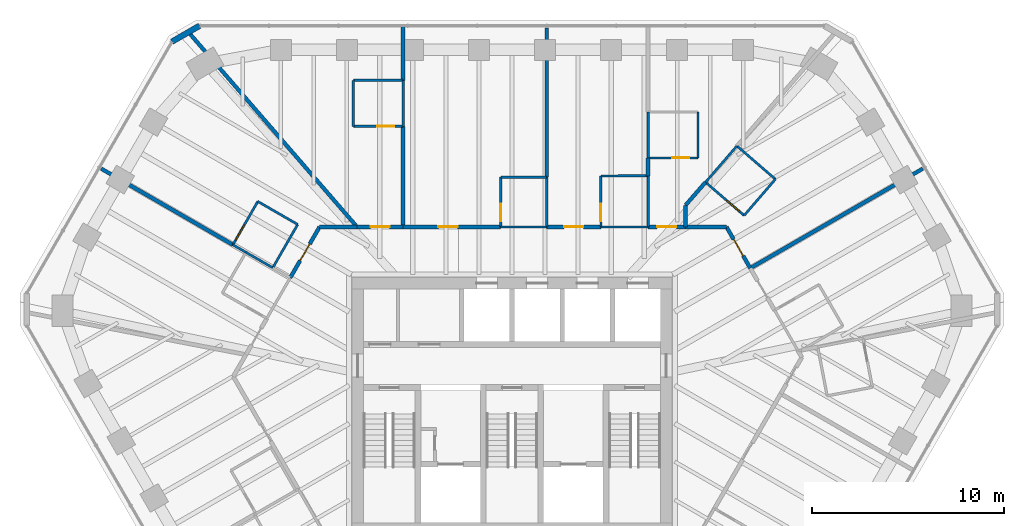
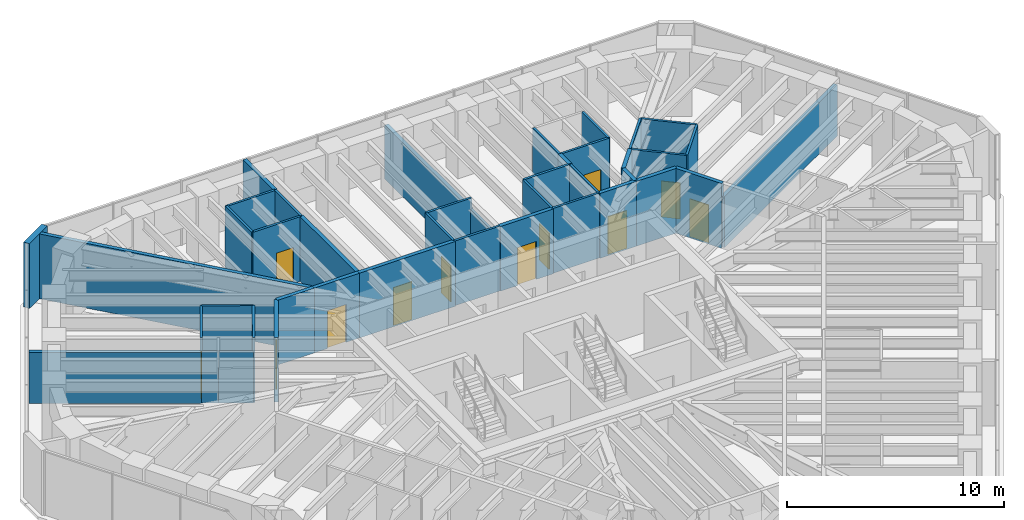
# One storey, part 12 of 14: 42 walls, 12 doors, 12 openings.
"""IFC4 building model written with IfcOpenShell, lengths in metres."""

import ifcopenshell
import ifcopenshell.guid

model = None  # the IFC model being written
_history = None  # IfcOwnerHistory: only IFC2X3 demands one
_inside = {}  # id of a spatial element -> (the spatial element, [elements in it])
_under = {}  # id of a project, library or spatial element -> (it, [spatial elements below it])
_declared = {}  # id of a project -> (the project, [libraries it declares])
_typed = {}  # id of a type object -> (the type object, [elements of that type])
_made_of = {}  # id of a material, layer set ... -> (it, [elements and type objects made of it])


def new_model(schema):
    """Start an empty IFC model of exactly this schema.

    Asked for "IFC4X3", IfcOpenShell would pick the latest addendum, in which some entities
    have other attributes; the version numbers below select the first issue.
    IFC2X3 requires an IfcOwnerHistory on every rooted entity: one is made here for all.
    """
    global model, _history
    if schema == "IFC4X3":
        model = ifcopenshell.file(schema_version=(4, 3, 0, 0))
    else:
        model = ifcopenshell.file(schema=schema)
    _inside.clear()
    _under.clear()
    _declared.clear()
    _typed.clear()
    _made_of.clear()
    _history = None
    if model.schema == "IFC2X3":
        org = make("IfcOrganization", Name="unknown")
        user = make(
            "IfcPersonAndOrganization",
            ThePerson=make("IfcPerson", FamilyName="unknown"),
            TheOrganization=org,
        )
        app = make(
            "IfcApplication",
            ApplicationDeveloper=org,
            Version="unknown",
            ApplicationFullName="unknown",
            ApplicationIdentifier="unknown",
        )
        _history = make(
            "IfcOwnerHistory",
            OwningUser=user,
            OwningApplication=app,
            ChangeAction="ADDED",
            CreationDate=0,
        )
    return model


def make(cls, **values):
    """One entity of the class cls with the attributes given. An attribute that is None is left unset."""
    return model.create_entity(
        cls, **{name: value for name, value in values.items() if value is not None}
    )


def rooted(cls, **values):
    """An entity with a GlobalId (a new one), such as an element, a storey or a relation."""
    return make(cls, GlobalId=ifcopenshell.guid.new(), OwnerHistory=_history, **values)


def si_unit(unit_type, name, prefix=None):
    """IfcSIUnit, for example si_unit("LENGTHUNIT", "METRE", prefix="MILLI")."""
    return make("IfcSIUnit", UnitType=unit_type, Prefix=prefix, Name=name)


def assignment(units):
    """IfcUnitAssignment: the units of a project."""
    return None if units is None else make("IfcUnitAssignment", Units=units)


def point(xyz):
    """IfcCartesianPoint."""
    return None if xyz is None else make("IfcCartesianPoint", Coordinates=xyz)


def direction(xyz):
    """IfcDirection."""
    return None if xyz is None else make("IfcDirection", DirectionRatios=xyz)


def frame(location, z_axis=None, x_axis=None):
    """IfcAxis2Placement3D, a coordinate frame: its origin and axes. An axis left out is left unset."""
    return make(
        "IfcAxis2Placement3D",
        Location=point(location),
        Axis=direction(z_axis),
        RefDirection=direction(x_axis),
    )


def frame_2d(location, x_axis=None):
    """IfcAxis2Placement2D, a coordinate frame in the plane: its origin and x axis."""
    return make(
        "IfcAxis2Placement2D", Location=point(location), RefDirection=direction(x_axis)
    )


def origin():
    """The frame at (0, 0, 0) with its axes left unset."""
    return frame((0.0, 0.0, 0.0))


def place(relative_to, where):
    """IfcLocalPlacement: puts the frame where relative to a parent placement (None: the world)."""
    return make(
        "IfcLocalPlacement", PlacementRelTo=relative_to, RelativePlacement=where
    )


def context(
    kind, dimensions, precision=None, world=None, true_north=None, identifier=None
):
    """IfcGeometricRepresentationContext, for example the 3D "Model" context."""
    return make(
        "IfcGeometricRepresentationContext",
        ContextIdentifier=identifier,
        ContextType=kind,
        CoordinateSpaceDimension=dimensions,
        Precision=precision,
        WorldCoordinateSystem=world,
        TrueNorth=true_north,
    )


def subcontext(parent, identifier, kind, view, scale=None):
    """IfcGeometricRepresentationSubContext, for example "Body" below "Model"."""
    return make(
        "IfcGeometricRepresentationSubContext",
        ContextIdentifier=identifier,
        ContextType=kind,
        ParentContext=parent,
        TargetScale=scale,
        TargetView=view,
    )


def project(units=None, contexts=None):
    """IfcProject with its units and contexts."""
    return rooted(
        "IfcProject",
        Name="project",
        RepresentationContexts=contexts,
        UnitsInContext=assignment(units),
    )


def spatial(cls, under=None, at=None, **own):
    """A site, building, storey or space (cls), placed at a placement, below another one or the project."""
    s = rooted(cls, ObjectPlacement=at, **own)
    if under is not None:
        _under.setdefault(under.id(), (under, []))[1].append(s)
    return s


def profile(cls, at=None, kind="AREA", **sizes):
    """A parametric profile (cls). Its sizes go by their IFC names, for example OverallWidth=200.0."""
    return make(cls, ProfileType=kind, Position=at, **sizes)


def rectangle(**sizes):
    """IfcRectangleProfileDef."""
    return profile("IfcRectangleProfileDef", **sizes)


def extrude(swept, where, along, depth):
    """IfcExtrudedAreaSolid: the profile swept, set in the frame where, extruded along a direction by depth."""
    return make(
        "IfcExtrudedAreaSolid",
        SweptArea=swept,
        Position=where,
        ExtrudedDirection=direction(along),
        Depth=depth,
    )


def shape(context_of_items, identifier, shape_type, items):
    """IfcShapeRepresentation: the items that make up one representation, for example the "Body"."""
    return make(
        "IfcShapeRepresentation",
        ContextOfItems=context_of_items,
        RepresentationIdentifier=identifier,
        RepresentationType=shape_type,
        Items=items,
    )


def material(Name=None, Category=None):
    """IfcMaterial."""
    return make("IfcMaterial", Name=Name, Category=Category)


def layer(
    of_material, thickness, ventilated=None, Name=None, Category=None, Priority=None
):
    """IfcMaterialLayer: one layer of a wall or slab, of a material (None: an air gap)."""
    return make(
        "IfcMaterialLayer",
        Material=of_material,
        LayerThickness=thickness,
        IsVentilated=ventilated,
        Name=Name,
        Category=Category,
        Priority=Priority,
    )


def layer_set(layers, Name=None):
    """IfcMaterialLayerSet."""
    return make("IfcMaterialLayerSet", MaterialLayers=layers, LayerSetName=Name)


def made_of(thing, what):
    """Note that an element or type object is made of a material, layer set ...; save() writes the relation."""
    if what is not None:
        _made_of.setdefault(what.id(), (what, []))[1].append(thing)
    return thing


def type_object(cls, material=None, **own):
    """A type object (cls), such as IfcWallType, which elements share."""
    return made_of(rooted(cls, **own), material)


def element(
    cls,
    number,
    at=None,
    inside=None,
    cuts=None,
    type_object=None,
    material=None,
    context=None,
    identifier="Body",
    shape_type=None,
    held_by="IfcProductDefinitionShape",
    body=None,
    shapes=None,
    **own,
):
    """One element of the class cls, such as IfcWall. Its Tag is "e" and its number.

    at: its placement. inside: the storey or other place that contains it. cuts: it is an
    opening in that element (IfcRelVoidsElement). A single representation is given by context,
    identifier, shape_type and body (its items); several are given by shapes. held_by: the class
    of the entity that holds the representations. save() writes the other relations.
    """
    e = rooted(cls, Tag="e%d" % number, ObjectPlacement=at, **own)
    if body is not None:
        shapes = [shape(context, identifier, shape_type, body)]
    if shapes is not None:
        e.Representation = make(held_by, Representations=shapes)
    if inside is not None:
        _inside.setdefault(inside.id(), (inside, []))[1].append(e)
    if cuts is not None:
        rooted(
            "IfcRelVoidsElement", RelatingBuildingElement=cuts, RelatedOpeningElement=e
        )
    if type_object is not None:
        _typed.setdefault(type_object.id(), (type_object, []))[1].append(e)
    return made_of(e, material)


def fill(opening, filler):
    """IfcRelFillsElement: the door or window that sits in an opening."""
    return rooted(
        "IfcRelFillsElement",
        RelatingOpeningElement=opening,
        RelatedBuildingElement=filler,
    )


def aggregate(whole, parts):
    """IfcRelAggregates: a whole, such as a stair, and the parts it consists of."""
    return rooted("IfcRelAggregates", RelatingObject=whole, RelatedObjects=parts)


def save(model, path):
    """Write the relations noted so far, then the file.

    IfcRelAggregates (storeys below a building ...), IfcRelContainedInSpatialStructure (elements
    in a storey), IfcRelDefinesByType, IfcRelAssociatesMaterial and IfcRelDeclares: one each for
    every whole, place, type object, material and project.
    """
    for whole, parts in _under.values():
        aggregate(whole, parts)
    for where, things in _inside.values():
        rooted(
            "IfcRelContainedInSpatialStructure",
            RelatedElements=things,
            RelatingStructure=where,
        )
    for kind, things in _typed.values():
        rooted("IfcRelDefinesByType", RelatedObjects=things, RelatingType=kind)
    for what, things in _made_of.values():
        rooted("IfcRelAssociatesMaterial", RelatedObjects=things, RelatingMaterial=what)
    for by, libraries in _declared.values():
        rooted("IfcRelDeclares", RelatingContext=by, RelatedDefinitions=libraries)
    model.write(path)


model = new_model("IFC4")

# Units and contexts
model_context = context("Model", 3, precision=1e-05, world=origin(), true_north=direction((0.0, 1.0)))
body_context = subcontext(model_context, "Body", "Model", "MODEL_VIEW")
ifc_project = project(units=[si_unit("LENGTHUNIT", "METRE"), si_unit("AREAUNIT", "SQUARE_METRE"), si_unit("VOLUMEUNIT", "CUBIC_METRE"), si_unit("PLANEANGLEUNIT", "RADIAN"), si_unit("MASSUNIT", "GRAM", prefix="KILO")], contexts=[model_context])

# Site, building, storey
site_placement = place(None, origin())
site = spatial("IfcSite", under=ifc_project, at=site_placement, CompositionType="ELEMENT")
building_placement = place(site_placement, origin())
building = spatial("IfcBuilding", under=site, at=building_placement, Name="Sandreach Pilgrim Tower", CompositionType="ELEMENT")
storey_placement = place(building_placement, frame((0.0, 0.0, 272.199951171875)))
storey = spatial("IfcBuildingStorey", under=building, at=storey_placement, Name="L68", CompositionType="ELEMENT", Elevation=272.199951171875)

# Walls
ifc_material_1 = material(Name="Moisture-resistant gypsum board on steel studs", Category="steel")
ifc_layer_1 = layer(ifc_material_1, 0.1201171875)
ifc_layer_set_1 = layer_set([ifc_layer_1], Name="Bathroom partition 120")
wall_type_1 = type_object("IfcWallType", Name="Bathroom partition 120", PredefinedType="PARTITIONING", material=ifc_layer_set_1)
wall_1_placement = place(storey_placement, frame((-14.56005859375, 8.39990234375, 0.0), z_axis=(0.0, 0.0, 1.0), x_axis=(0.866242622795, -0.499623576758, 0.0)))
element("IfcWall", 1, at=wall_1_placement, inside=storey, type_object=wall_type_1, Name="Bathroom partition L68-006", PredefinedType="PARTITIONING", context=body_context, shape_type="SweptSolid", body=[
    extrude(rectangle(XDim=0.78369140625, YDim=0.1201171875, at=frame_2d((0.391845703125, 0.0))), origin(), (0.0, 0.0, 1.0), 2.8779296875),
])
wall_2_placement = place(storey_placement, frame((-13.881103515625, 8.00830078125, 0.0), z_axis=(0.0, 0.0, 1.0), x_axis=(0.866183073342, -0.499726808823, 0.0)))
element("IfcWall", 2, at=wall_2_placement, inside=storey, type_object=wall_type_1, Name="Bathroom partition L68-009", PredefinedType="PARTITIONING", context=body_context, shape_type="SweptSolid", body=[
    extrude(rectangle(XDim=1.61767578125, YDim=0.1201171875, at=frame_2d((0.808837890625, 0.0))), origin(), (0.0, 0.0, 1.0), 2.8779296875),
])

# Wall, opening, door
wall_3_placement = place(storey_placement, frame((-13.260009765625, 10.659912109375, 0.0), z_axis=(0.0, 0.0, 1.0), x_axis=(-0.498627694264, -0.866816256489, 0.0)))
wall_3 = element("IfcWall", 3, at=wall_3_placement, inside=storey, type_object=wall_type_1, Name="Bathroom partition L68-016", PredefinedType="PARTITIONING", context=body_context, shape_type="SweptSolid", body=[
    extrude(rectangle(XDim=2.607177734375, YDim=0.1201171875, at=frame_2d((1.3037109375, 0.0))), origin(), (0.0, 0.0, 1.0), 3.64013671875),
])
opening_1_placement = place(wall_3_placement, frame((1.4072265625, 0.0, 0.0)))
opening_1 = element("IfcOpeningElement", 4, at=opening_1_placement, cuts=wall_3, Name="Opening D09-16B", PredefinedType="OPENING", context=body_context, shape_type="SweptSolid", body=[
    extrude(rectangle(XDim=0.89990234375, YDim=2.030029296875, at=frame_2d((0.449951171875, 1.01513671875))), frame((0.0, 0.06005859375, 0.0), z_axis=(0.0, -1.0, 0.0), x_axis=(1.0, 0.0, 0.0)), (0.0, 0.0, 1.0), 0.1201171875),
])
ifc_material_2 = material(Name="Timber door, steel frame", Category="steel")
door_type_1 = type_object("IfcDoorType", Name="Bathroom door", OperationType="SINGLE_SWING_LEFT", PredefinedType="DOOR", material=ifc_material_2)
door_1_placement = place(opening_1_placement, origin())
door_1 = element("IfcDoor", 5, at=door_1_placement, inside=storey, type_object=door_type_1, Name="Door 6816B", OperationType="SINGLE_SWING_RIGHT", OverallHeight=2.030029296875, OverallWidth=0.89990234375, PredefinedType="DOOR", context=body_context, shape_type="SweptSolid", body=[
    extrude(rectangle(XDim=0.89990234375, YDim=2.030029296875, at=frame_2d((0.449951171875, 1.01513671875))), frame((0.0, 0.02490234375, 0.0), z_axis=(0.0, -1.0, 0.0), x_axis=(1.0, 0.0, 0.0)), (0.0, 0.0, 1.0), 0.050048828125),
])
fill(opening_1, door_1)

# Walls
wall_4_placement = place(storey_placement, frame((-12.47998046875, 7.199951171875, 0.0), z_axis=(0.0, 0.0, 1.0), x_axis=(0.498627694264, 0.866816256489, 0.0)))
element("IfcWall", 6, at=wall_4_placement, inside=storey, type_object=wall_type_1, Name="Bathroom partition L68-020", PredefinedType="PARTITIONING", context=body_context, shape_type="SweptSolid", body=[
    extrude(rectangle(XDim=2.607177734375, YDim=0.1201171875, at=frame_2d((1.3037109375, 0.0))), origin(), (0.0, 0.0, 1.0), 3.64013671875),
])
wall_5_placement = place(storey_placement, frame((-11.179931640625, 9.4599609375, 0.0), z_axis=(0.0, 0.0, 1.0), x_axis=(-0.866202511239, 0.499693115345, 0.0)))
element("IfcWall", 7, at=wall_5_placement, inside=storey, type_object=wall_type_1, Name="Bathroom partition L68-025", PredefinedType="PARTITIONING", context=body_context, shape_type="SweptSolid", body=[
    extrude(rectangle(XDim=2.4013671875, YDim=0.1201171875, at=frame_2d((1.20068359375, 0.0))), origin(), (0.0, 0.0, 1.0), 3.64013671875),
])

# Wall, opening, door
wall_6_placement = place(storey_placement, frame((-8.280029296875, 14.580078125, 0.0), z_axis=(0.0, 0.0, 1.0), x_axis=(1.0, 0.0, 0.0)))
wall_6 = element("IfcWall", 8, at=wall_6_placement, inside=storey, type_object=wall_type_1, Name="Bathroom partition L68-030", PredefinedType="PARTITIONING", context=body_context, shape_type="SweptSolid", body=[
    extrude(rectangle(XDim=2.60009765625, YDim=0.1201171875, at=frame_2d((1.300048828125, 0.0))), origin(), (0.0, 0.0, 1.0), 3.64013671875),
])
opening_2_placement = place(wall_6_placement, frame((1.25, 0.0, 0.0)))
opening_2 = element("IfcOpeningElement", 9, at=opening_2_placement, cuts=wall_6, Name="Opening D09-01B", PredefinedType="OPENING", context=body_context, shape_type="SweptSolid", body=[
    extrude(rectangle(XDim=0.89990234375, YDim=2.030029296875, at=frame_2d((0.449951171875, 1.01513671875))), frame((0.0, 0.06005859375, 0.0), z_axis=(0.0, -1.0, 0.0), x_axis=(1.0, 0.0, 0.0)), (0.0, 0.0, 1.0), 0.1201171875),
])
door_2_placement = place(opening_2_placement, origin())
door_2 = element("IfcDoor", 10, at=door_2_placement, inside=storey, type_object=door_type_1, Name="Door 6801B", OperationType="SINGLE_SWING_RIGHT", OverallHeight=2.030029296875, OverallWidth=0.89990234375, PredefinedType="DOOR", context=body_context, shape_type="SweptSolid", body=[
    extrude(rectangle(XDim=0.89990234375, YDim=2.030029296875, at=frame_2d((0.449951171875, 1.01513671875))), frame((0.0, 0.02490234375, 0.0), z_axis=(0.0, -1.0, 0.0), x_axis=(1.0, 0.0, 0.0)), (0.0, 0.0, 1.0), 0.050048828125),
])
fill(opening_2, door_2)

# Walls
wall_7_placement = place(storey_placement, frame((-8.280029296875, 16.97998046875, 0.0), z_axis=(0.0, 0.0, 1.0), x_axis=(0.0, -1.0, 0.0)))
element("IfcWall", 11, at=wall_7_placement, inside=storey, type_object=wall_type_1, Name="Bathroom partition L68-031", PredefinedType="PARTITIONING", context=body_context, shape_type="SweptSolid", body=[
    extrude(rectangle(XDim=2.39990234375, YDim=0.1201171875, at=frame_2d((1.199951171875, 0.0))), origin(), (0.0, 0.0, 1.0), 3.64013671875),
])
wall_8_placement = place(storey_placement, frame((-5.679931640625, 16.97998046875, 0.0), z_axis=(0.0, 0.0, 1.0), x_axis=(-1.0, 0.0, 0.0)))
element("IfcWall", 12, at=wall_8_placement, inside=storey, type_object=wall_type_1, Name="Bathroom partition L68-040", PredefinedType="PARTITIONING", context=body_context, shape_type="SweptSolid", body=[
    extrude(rectangle(XDim=2.60009765625, YDim=0.1201171875, at=frame_2d((1.300048828125, 0.0))), origin(), (0.0, 0.0, 1.0), 3.64013671875),
])
wall_9_placement = place(storey_placement, frame((-5.679931640625, 16.97998046875, 0.0), z_axis=(0.0, 0.0, 1.0), x_axis=(0.0, -1.0, 0.0)))
element("IfcWall", 13, at=wall_9_placement, inside=storey, type_object=wall_type_1, Name="Bathroom partition L68-041", PredefinedType="PARTITIONING", context=body_context, shape_type="SweptSolid", body=[
    extrude(rectangle(XDim=2.39990234375, YDim=0.1201171875, at=frame_2d((1.199951171875, 0.0))), origin(), (0.0, 0.0, 1.0), 3.64013671875),
])

# Wall, opening, door
wall_10_placement = place(storey_placement, frame((-0.580078125, 11.929931640625, 0.0), z_axis=(0.0, 0.0, 1.0), x_axis=(-0.003850098237, -0.999992588344, 0.0)))
wall_10 = element("IfcWall", 14, at=wall_10_placement, inside=storey, type_object=wall_type_1, Name="Bathroom partition L68-054", PredefinedType="PARTITIONING", context=body_context, shape_type="SweptSolid", body=[
    extrude(rectangle(XDim=2.599853515625, YDim=0.1201171875, at=frame_2d((1.2998046875, 0.0))), origin(), (0.0, 0.0, 1.0), 3.64013671875),
])
opening_3_placement = place(wall_10_placement, frame((1.39990234375, 0.0, 0.0)))
opening_3 = element("IfcOpeningElement", 15, at=opening_3_placement, cuts=wall_10, Name="Opening D09-02B", PredefinedType="OPENING", context=body_context, shape_type="SweptSolid", body=[
    extrude(rectangle(XDim=0.89990234375, YDim=2.030029296875, at=frame_2d((0.449951171875, 1.01513671875))), frame((0.0, 0.06005859375, 0.0), z_axis=(0.0, -1.0, 0.0), x_axis=(1.0, 0.0, 0.0)), (0.0, 0.0, 1.0), 0.1201171875),
])
door_3_placement = place(opening_3_placement, origin())
door_3 = element("IfcDoor", 16, at=door_3_placement, inside=storey, type_object=door_type_1, Name="Door 6802B", OperationType="SINGLE_SWING_RIGHT", OverallHeight=2.030029296875, OverallWidth=0.89990234375, PredefinedType="DOOR", context=body_context, shape_type="SweptSolid", body=[
    extrude(rectangle(XDim=0.89990234375, YDim=2.030029296875, at=frame_2d((0.449951171875, 1.01513671875))), frame((0.0, 0.02490234375, 0.0), z_axis=(0.0, -1.0, 0.0), x_axis=(1.0, 0.0, 0.0)), (0.0, 0.0, 1.0), 0.050048828125),
])
fill(opening_3, door_3)

# Walls
wall_11_placement = place(storey_placement, frame((1.81005859375, 9.330078125, 0.0), z_axis=(0.0, 0.0, 1.0), x_axis=(-1.0, 0.0, 0.0)))
element("IfcWall", 17, at=wall_11_placement, inside=storey, type_object=wall_type_1, Name="Bathroom partition L68-062", PredefinedType="PARTITIONING", context=body_context, shape_type="SweptSolid", body=[
    extrude(rectangle(XDim=2.400146484375, YDim=0.1201171875, at=frame_2d((1.2001953125, 0.0))), origin(), (0.0, 0.0, 1.0), 3.64013671875),
])
wall_12_placement = place(storey_placement, frame((1.81005859375, 11.929931640625, 0.0), z_axis=(0.0, 0.0, 1.0), x_axis=(-1.0, 0.0, 0.0)))
element("IfcWall", 18, at=wall_12_placement, inside=storey, type_object=wall_type_1, Name="Bathroom partition L68-063", PredefinedType="PARTITIONING", context=body_context, shape_type="SweptSolid", body=[
    extrude(rectangle(XDim=2.39013671875, YDim=0.1201171875, at=frame_2d((1.195068359375, 0.0))), origin(), (0.0, 0.0, 1.0), 3.64013671875),
])
wall_13_placement = place(storey_placement, frame((1.81005859375, 11.929931640625, 0.0), z_axis=(0.0, 0.0, 1.0), x_axis=(0.0, -1.0, 0.0)))
element("IfcWall", 19, at=wall_13_placement, inside=storey, type_object=wall_type_1, Name="Bathroom partition L68-064", PredefinedType="PARTITIONING", context=body_context, shape_type="SweptSolid", body=[
    extrude(rectangle(XDim=2.599853515625, YDim=0.1201171875, at=frame_2d((1.2998046875, 0.0))), origin(), (0.0, 0.0, 1.0), 3.02294921875),
])

# Wall, opening, door
wall_14_placement = place(storey_placement, frame((4.6298828125, 11.989990234375, 0.0), z_axis=(0.0, 0.0, 1.0), x_axis=(0.00376316748, -0.99999291926, 0.0)))
wall_14 = element("IfcWall", 20, at=wall_14_placement, inside=storey, type_object=wall_type_1, Name="Bathroom partition L68-070", PredefinedType="PARTITIONING", context=body_context, shape_type="SweptSolid", body=[
    extrude(rectangle(XDim=2.659912109375, YDim=0.1201171875, at=frame_2d((1.330078125, 0.0))), origin(), (0.0, 0.0, 1.0), 3.64013671875),
])
opening_4_placement = place(wall_14_placement, frame((1.4599609375, 0.0, 0.0)))
opening_4 = element("IfcOpeningElement", 21, at=opening_4_placement, cuts=wall_14, Name="Opening D09-03B", PredefinedType="OPENING", context=body_context, shape_type="SweptSolid", body=[
    extrude(rectangle(XDim=0.89990234375, YDim=2.030029296875, at=frame_2d((0.449951171875, 1.01513671875))), frame((0.0, 0.06005859375, 0.0), z_axis=(0.0, -1.0, 0.0), x_axis=(1.0, 0.0, 0.0)), (0.0, 0.0, 1.0), 0.1201171875),
])
door_4_placement = place(opening_4_placement, origin())
door_4 = element("IfcDoor", 22, at=door_4_placement, inside=storey, type_object=door_type_1, Name="Door 6803B", OperationType="SINGLE_SWING_RIGHT", OverallHeight=2.030029296875, OverallWidth=0.89990234375, PredefinedType="DOOR", context=body_context, shape_type="SweptSolid", body=[
    extrude(rectangle(XDim=0.89990234375, YDim=2.030029296875, at=frame_2d((0.449951171875, 1.01513671875))), frame((0.0, 0.02490234375, 0.0), z_axis=(0.0, -1.0, 0.0), x_axis=(1.0, 0.0, 0.0)), (0.0, 0.0, 1.0), 0.050048828125),
])
fill(opening_4, door_4)

# Walls
wall_15_placement = place(storey_placement, frame((7.10009765625, 9.330078125, 0.0), z_axis=(0.0, 0.0, 1.0), x_axis=(-1.0, 0.0, 0.0)))
element("IfcWall", 23, at=wall_15_placement, inside=storey, type_object=wall_type_1, Name="Bathroom partition L68-079", PredefinedType="PARTITIONING", context=body_context, shape_type="SweptSolid", body=[
    extrude(rectangle(XDim=2.460205078125, YDim=0.1201171875, at=frame_2d((1.22998046875, 0.0))), origin(), (0.0, 0.0, 1.0), 3.64013671875),
])
wall_16_placement = place(storey_placement, frame((7.10009765625, 12.0, 0.0), z_axis=(0.0, 0.0, 1.0), x_axis=(-0.99999178838, -0.00405255148, 0.0)))
element("IfcWall", 24, at=wall_16_placement, inside=storey, type_object=wall_type_1, Name="Bathroom partition L68-081", PredefinedType="PARTITIONING", context=body_context, shape_type="SweptSolid", body=[
    extrude(rectangle(XDim=2.469970703125, YDim=0.1201171875, at=frame_2d((1.23486328125, 0.0))), origin(), (0.0, 0.0, 1.0), 3.64013671875),
])
wall_17_placement = place(storey_placement, frame((7.10009765625, 12.0, 0.0), z_axis=(0.0, 0.0, 1.0), x_axis=(0.0, -1.0, 0.0)))
element("IfcWall", 25, at=wall_17_placement, inside=storey, type_object=wall_type_1, Name="Bathroom partition L68-082", PredefinedType="PARTITIONING", context=body_context, shape_type="SweptSolid", body=[
    extrude(rectangle(XDim=2.669921875, YDim=0.1201171875, at=frame_2d((1.3349609375, 0.0))), origin(), (0.0, 0.0, 1.0), 3.64013671875),
])

# Wall, opening, door
wall_18_placement = place(storey_placement, frame((7.10009765625, 12.929931640625, 0.0), z_axis=(0.0, 0.0, 1.0), x_axis=(1.0, 0.0, 0.0)))
wall_18 = element("IfcWall", 26, at=wall_18_placement, inside=storey, type_object=wall_type_1, Name="Bathroom partition L68-084", PredefinedType="PARTITIONING", context=body_context, shape_type="SweptSolid", body=[
    extrude(rectangle(XDim=2.599853515625, YDim=0.1201171875, at=frame_2d((1.2998046875, 0.0))), origin(), (0.0, 0.0, 1.0), 3.64013671875),
])
opening_5_placement = place(wall_18_placement, frame((1.25, 0.0, 0.0)))
opening_5 = element("IfcOpeningElement", 27, at=opening_5_placement, cuts=wall_18, Name="Opening D09-04B", PredefinedType="OPENING", context=body_context, shape_type="SweptSolid", body=[
    extrude(rectangle(XDim=0.89990234375, YDim=2.030029296875, at=frame_2d((0.449951171875, 1.01513671875))), frame((0.0, 0.06005859375, 0.0), z_axis=(0.0, -1.0, 0.0), x_axis=(1.0, 0.0, 0.0)), (0.0, 0.0, 1.0), 0.1201171875),
])
door_5_placement = place(opening_5_placement, origin())
door_5 = element("IfcDoor", 28, at=door_5_placement, inside=storey, type_object=door_type_1, Name="Door 6804B", OperationType="SINGLE_SWING_RIGHT", OverallHeight=2.030029296875, OverallWidth=0.89990234375, PredefinedType="DOOR", context=body_context, shape_type="SweptSolid", body=[
    extrude(rectangle(XDim=0.89990234375, YDim=2.030029296875, at=frame_2d((0.449951171875, 1.01513671875))), frame((0.0, 0.02490234375, 0.0), z_axis=(0.0, -1.0, 0.0), x_axis=(1.0, 0.0, 0.0)), (0.0, 0.0, 1.0), 0.050048828125),
])
fill(opening_5, door_5)

# Walls
for number, where, z_axis, x_axis, name in (
    (29, (7.10009765625, 15.330078125, 0.0), (0.0, 0.0, 1.0), (0.0, -1.0, 0.0), "Bathroom partition L68-085"),
    (30, (9.699951171875, 12.929931640625, 0.0), (0.0, 0.0, 1.0), (0.0, 1.0, 0.0), "Bathroom partition L68-094"),
):
    element("IfcWall", number, at=place(storey_placement, frame(where, z_axis=z_axis, x_axis=x_axis)), inside=storey, type_object=wall_type_1, Name=name, PredefinedType="PARTITIONING", context=body_context, shape_type="SweptSolid", body=[
        extrude(rectangle(XDim=2.400146484375, YDim=0.1201171875, at=frame_2d((1.2001953125, 0.0))), origin(), (0.0, 0.0, 1.0), 3.64013671875),
    ])
wall_19_placement = place(storey_placement, frame((10.09619140625, 11.663330078125, 0.0), z_axis=(0.0, 0.0, 1.0), x_axis=(0.654079520224, 0.7564257936, 0.0)))
element("IfcWall", 31, at=wall_19_placement, inside=storey, type_object=wall_type_1, Name="Bathroom partition L68-096", PredefinedType="PARTITIONING", context=body_context, shape_type="SweptSolid", body=[
    extrude(rectangle(XDim=2.50244140625, YDim=0.1201171875, at=frame_2d((1.251220703125, 0.0))), origin(), (0.0, 0.0, 1.0), 3.64013671875),
])

# Wall, opening, door
wall_20_placement = place(storey_placement, frame((10.10009765625, 11.659912109375, 0.0), z_axis=(0.0, 0.0, 1.0), x_axis=(0.757929364221, -0.652336630009, 0.0)))
wall_20 = element("IfcWall", 32, at=wall_20_placement, inside=storey, type_object=wall_type_1, Name="Bathroom partition L68-097", PredefinedType="PARTITIONING", context=body_context, shape_type="SweptSolid", body=[
    extrude(rectangle(XDim=2.65185546875, YDim=0.1201171875, at=frame_2d((1.325927734375, 0.0))), origin(), (0.0, 0.0, 1.0), 3.64013671875),
])
opening_6_placement = place(wall_20_placement, frame((1.451904296875, 0.0, 0.0)))
opening_6 = element("IfcOpeningElement", 33, at=opening_6_placement, cuts=wall_20, Name="Opening D09-05B", PredefinedType="OPENING", context=body_context, shape_type="SweptSolid", body=[
    extrude(rectangle(XDim=0.89990234375, YDim=2.030029296875, at=frame_2d((0.449951171875, 1.01513671875))), frame((0.0, 0.06005859375, 0.0), z_axis=(0.0, -1.0, 0.0), x_axis=(1.0, 0.0, 0.0)), (0.0, 0.0, 1.0), 0.1201171875),
])
door_6_placement = place(opening_6_placement, origin())
door_6 = element("IfcDoor", 34, at=door_6_placement, inside=storey, type_object=door_type_1, Name="Door 6805B", OperationType="SINGLE_SWING_RIGHT", OverallHeight=2.030029296875, OverallWidth=0.89990234375, PredefinedType="DOOR", context=body_context, shape_type="SweptSolid", body=[
    extrude(rectangle(XDim=0.89990234375, YDim=2.030029296875, at=frame_2d((0.449951171875, 1.01513671875))), frame((0.0, 0.02490234375, 0.0), z_axis=(0.0, -1.0, 0.0), x_axis=(1.0, 0.0, 0.0)), (0.0, 0.0, 1.0), 0.050048828125),
])
fill(opening_6, door_6)

# Walls
wall_21_placement = place(storey_placement, frame((12.110107421875, 9.929931640625, 0.0), z_axis=(0.0, 0.0, 1.0), x_axis=(0.65304410808, 0.757319874889, 0.0)))
element("IfcWall", 35, at=wall_21_placement, inside=storey, type_object=wall_type_1, Name="Bathroom partition L68-103", PredefinedType="PARTITIONING", context=body_context, shape_type="SweptSolid", body=[
    extrude(rectangle(XDim=2.495849609375, YDim=0.1201171875, at=frame_2d((1.248046875, 0.0))), origin(), (0.0, 0.0, 1.0), 3.64013671875),
])
wall_22_placement = place(storey_placement, frame((13.739990234375, 11.820068359375, 0.0), z_axis=(0.0, 0.0, 1.0), x_axis=(-0.756316256301, 0.6542061758, 0.0)))
element("IfcWall", 36, at=wall_22_placement, inside=storey, type_object=wall_type_1, Name="Bathroom partition L68-107", PredefinedType="PARTITIONING", context=body_context, shape_type="SweptSolid", body=[
    extrude(rectangle(XDim=2.644287109375, YDim=0.1201171875, at=frame_2d((1.322265625, 0.0))), origin(), (0.0, 0.0, 1.0), 3.64013671875),
])

# Wall, opening, door
ifc_material_3 = material(Name="Gypsum board on steel studs, two layers each side", Category="steel")
ifc_layer_2 = layer(ifc_material_3, 0.199951171875)
ifc_layer_set_2 = layer_set([ifc_layer_2], Name="Corridor wall 200")
wall_type_2 = type_object("IfcWallType", Name="Corridor wall 200", PredefinedType="PARTITIONING", material=ifc_layer_set_2)
wall_23_placement = place(storey_placement, frame((-11.56884765625, 6.679443359375, 0.0), z_axis=(0.0, 0.0, 1.0), x_axis=(0.499623447589, 0.866242697297, 0.0)))
wall_23 = element("IfcWall", 37, at=wall_23_placement, inside=storey, type_object=wall_type_2, Name="Corridor wall L68-022", PredefinedType="PARTITIONING", context=body_context, shape_type="SweptSolid", body=[
    extrude(rectangle(XDim=3.059814453125, YDim=0.199951171875, at=frame_2d((1.52978515625, 0.0))), origin(), (0.0, 0.0, 1.0), 3.64013671875),
])
opening_7_placement = place(wall_23_placement, frame((1.030029296875, 0.0, 0.0)))
opening_7 = element("IfcOpeningElement", 38, at=opening_7_placement, cuts=wall_23, Name="Opening D10-16", PredefinedType="OPENING", context=body_context, shape_type="SweptSolid", body=[
    extrude(rectangle(XDim=1.0, YDim=2.1298828125, at=frame_2d((0.5, 1.06494140625))), frame((0.0, 0.10009765625, 0.0), z_axis=(0.0, -1.0, 0.0), x_axis=(1.0, 0.0, 0.0)), (0.0, 0.0, 1.0), 0.199951171875),
])
ifc_material_4 = material(Name="Steel door and frame", Category="steel")
door_type_2 = type_object("IfcDoorType", Name="Guest room entry door", OperationType="SINGLE_SWING_LEFT", PredefinedType="DOOR", material=ifc_material_4)
door_7_placement = place(opening_7_placement, origin())
door_7 = element("IfcDoor", 39, at=door_7_placement, inside=storey, type_object=door_type_2, Name="Door 6816", OperationType="SINGLE_SWING_LEFT", OverallHeight=2.1298828125, OverallWidth=1.0, PredefinedType="DOOR", context=body_context, shape_type="SweptSolid", body=[
    extrude(rectangle(XDim=1.0, YDim=2.1298828125, at=frame_2d((0.5, 1.06494140625))), frame((0.0, 0.02490234375, 0.0), z_axis=(0.0, -1.0, 0.0), x_axis=(1.0, 0.0, 0.0)), (0.0, 0.0, 1.0), 0.050048828125),
])
fill(opening_7, door_7)

# Wall
wall_24_placement = place(storey_placement, frame((-8.080078125, 9.330078125, 0.0), z_axis=(0.0, 0.0, 1.0), x_axis=(-1.0, 0.0, 0.0)))
element("IfcWall", 40, at=wall_24_placement, inside=storey, type_object=wall_type_2, Name="Corridor wall L68-033", PredefinedType="PARTITIONING", context=body_context, shape_type="SweptSolid", body=[
    extrude(rectangle(XDim=1.9599609375, YDim=0.199951171875, at=frame_2d((0.97998046875, 0.0))), origin(), (0.0, 0.0, 1.0), 3.64013671875),
])

# Wall, opening, door
wall_25_placement = place(storey_placement, frame((-5.679931640625, 9.330078125, 0.0), z_axis=(0.0, 0.0, 1.0), x_axis=(-1.0, 0.0, 0.0)))
wall_25 = element("IfcWall", 41, at=wall_25_placement, inside=storey, type_object=wall_type_2, Name="Corridor wall L68-037", PredefinedType="PARTITIONING", context=body_context, shape_type="SweptSolid", body=[
    extrude(rectangle(XDim=2.400146484375, YDim=0.199951171875, at=frame_2d((1.2001953125, 0.0))), origin(), (0.0, 0.0, 1.0), 3.64013671875),
])
opening_8_placement = place(wall_25_placement, frame((0.699951171875, 0.0, 0.0)))
opening_8 = element("IfcOpeningElement", 42, at=opening_8_placement, cuts=wall_25, Name="Opening D10-01", PredefinedType="OPENING", context=body_context, shape_type="SweptSolid", body=[
    extrude(rectangle(XDim=1.0, YDim=2.1298828125, at=frame_2d((0.5, 1.06494140625))), frame((0.0, 0.10009765625, 0.0), z_axis=(0.0, -1.0, 0.0), x_axis=(1.0, 0.0, 0.0)), (0.0, 0.0, 1.0), 0.199951171875),
])
door_8_placement = place(opening_8_placement, origin())
door_8 = element("IfcDoor", 43, at=door_8_placement, inside=storey, type_object=door_type_2, Name="Door 6801", OperationType="SINGLE_SWING_LEFT", OverallHeight=2.1298828125, OverallWidth=1.0, PredefinedType="DOOR", context=body_context, shape_type="SweptSolid", body=[
    extrude(rectangle(XDim=1.0, YDim=2.1298828125, at=frame_2d((0.5, 1.06494140625))), frame((0.0, 0.02490234375, 0.0), z_axis=(0.0, -1.0, 0.0), x_axis=(1.0, 0.0, 0.0)), (0.0, 0.0, 1.0), 0.050048828125),
])
fill(opening_8, door_8)

wall_26_placement = place(storey_placement, frame((-5.679931640625, 9.330078125, 0.0), z_axis=(0.0, 0.0, 1.0), x_axis=(1.0, 0.0, 0.0)))
wall_26 = element("IfcWall", 44, at=wall_26_placement, inside=storey, type_object=wall_type_2, Name="Corridor wall L68-038", PredefinedType="PARTITIONING", context=body_context, shape_type="SweptSolid", body=[
    extrude(rectangle(XDim=5.08984375, YDim=0.199951171875, at=frame_2d((2.544921875, 0.0))), origin(), (0.0, 0.0, 1.0), 3.64013671875),
])
opening_9_placement = place(wall_26_placement, frame((1.844970703125, 0.0, 0.0)))
opening_9 = element("IfcOpeningElement", 45, at=opening_9_placement, cuts=wall_26, Name="Opening D10-02", PredefinedType="OPENING", context=body_context, shape_type="SweptSolid", body=[
    extrude(rectangle(XDim=1.0, YDim=2.1298828125, at=frame_2d((0.5, 1.06494140625))), frame((0.0, 0.10009765625, 0.0), z_axis=(0.0, -1.0, 0.0), x_axis=(1.0, 0.0, 0.0)), (0.0, 0.0, 1.0), 0.199951171875),
])
door_9_placement = place(opening_9_placement, origin())
door_9 = element("IfcDoor", 46, at=door_9_placement, inside=storey, type_object=door_type_2, Name="Door 6802", OperationType="SINGLE_SWING_LEFT", OverallHeight=2.1298828125, OverallWidth=1.0, PredefinedType="DOOR", context=body_context, shape_type="SweptSolid", body=[
    extrude(rectangle(XDim=1.0, YDim=2.1298828125, at=frame_2d((0.5, 1.06494140625))), frame((0.0, 0.02490234375, 0.0), z_axis=(0.0, -1.0, 0.0), x_axis=(1.0, 0.0, 0.0)), (0.0, 0.0, 1.0), 0.050048828125),
])
fill(opening_9, door_9)

wall_27_placement = place(storey_placement, frame((4.639892578125, 9.330078125, 0.0), z_axis=(0.0, 0.0, 1.0), x_axis=(-1.0, 0.0, 0.0)))
wall_27 = element("IfcWall", 47, at=wall_27_placement, inside=storey, type_object=wall_type_2, Name="Corridor wall L68-071", PredefinedType="PARTITIONING", context=body_context, shape_type="SweptSolid", body=[
    extrude(rectangle(XDim=2.829833984375, YDim=0.199951171875, at=frame_2d((1.4150390625, 0.0))), origin(), (0.0, 0.0, 1.0), 3.64013671875),
])
opening_10_placement = place(wall_27_placement, frame((0.9150390625, 0.0, 0.0)))
opening_10 = element("IfcOpeningElement", 48, at=opening_10_placement, cuts=wall_27, Name="Opening D10-03", PredefinedType="OPENING", context=body_context, shape_type="SweptSolid", body=[
    extrude(rectangle(XDim=1.0, YDim=2.1298828125, at=frame_2d((0.5, 1.06494140625))), frame((0.0, 0.10009765625, 0.0), z_axis=(0.0, -1.0, 0.0), x_axis=(1.0, 0.0, 0.0)), (0.0, 0.0, 1.0), 0.199951171875),
])
door_10_placement = place(opening_10_placement, origin())
door_10 = element("IfcDoor", 49, at=door_10_placement, inside=storey, type_object=door_type_2, Name="Door 6803", OperationType="SINGLE_SWING_LEFT", OverallHeight=2.1298828125, OverallWidth=1.0, PredefinedType="DOOR", context=body_context, shape_type="SweptSolid", body=[
    extrude(rectangle(XDim=1.0, YDim=2.1298828125, at=frame_2d((0.5, 1.06494140625))), frame((0.0, 0.02490234375, 0.0), z_axis=(0.0, -1.0, 0.0), x_axis=(1.0, 0.0, 0.0)), (0.0, 0.0, 1.0), 0.050048828125),
])
fill(opening_10, door_10)

wall_28_placement = place(storey_placement, frame((7.10009765625, 9.330078125, 0.0), z_axis=(0.0, 0.0, 1.0), x_axis=(1.0, 0.0, 0.0)))
wall_28 = element("IfcWall", 50, at=wall_28_placement, inside=storey, type_object=wall_type_2, Name="Corridor wall L68-080", PredefinedType="PARTITIONING", context=body_context, shape_type="SweptSolid", body=[
    extrude(rectangle(XDim=1.949951171875, YDim=0.199951171875, at=frame_2d((0.97509765625, 0.0))), origin(), (0.0, 0.0, 1.0), 3.64013671875),
])
opening_11_placement = place(wall_28_placement, frame((0.47509765625, 0.0, 0.0)))
opening_11 = element("IfcOpeningElement", 51, at=opening_11_placement, cuts=wall_28, Name="Opening D10-04", PredefinedType="OPENING", context=body_context, shape_type="SweptSolid", body=[
    extrude(rectangle(XDim=1.0, YDim=2.1298828125, at=frame_2d((0.5, 1.06494140625))), frame((0.0, 0.10009765625, 0.0), z_axis=(0.0, -1.0, 0.0), x_axis=(1.0, 0.0, 0.0)), (0.0, 0.0, 1.0), 0.199951171875),
])
door_11_placement = place(opening_11_placement, origin())
door_11 = element("IfcDoor", 52, at=door_11_placement, inside=storey, type_object=door_type_2, Name="Door 6804", OperationType="SINGLE_SWING_LEFT", OverallHeight=2.1298828125, OverallWidth=1.0, PredefinedType="DOOR", context=body_context, shape_type="SweptSolid", body=[
    extrude(rectangle(XDim=1.0, YDim=2.1298828125, at=frame_2d((0.5, 1.06494140625))), frame((0.0, 0.02490234375, 0.0), z_axis=(0.0, -1.0, 0.0), x_axis=(1.0, 0.0, 0.0)), (0.0, 0.0, 1.0), 0.050048828125),
])
fill(opening_11, door_11)

# Wall
wall_29_placement = place(storey_placement, frame((11.18994140625, 9.330078125, 0.0), z_axis=(0.0, 0.0, 1.0), x_axis=(-1.0, 0.0, 0.0)))
element("IfcWall", 53, at=wall_29_placement, inside=storey, type_object=wall_type_2, Name="Corridor wall L68-099", PredefinedType="PARTITIONING", context=body_context, shape_type="SweptSolid", body=[
    extrude(rectangle(XDim=2.139892578125, YDim=0.199951171875, at=frame_2d((1.06982421875, 0.0))), origin(), (0.0, 0.0, 1.0), 3.64013671875),
])

# Wall, opening, door
wall_30_placement = place(storey_placement, frame((11.18994140625, 9.330078125, 0.0), z_axis=(0.0, 0.0, 1.0), x_axis=(0.499577688184, -0.866269088372, 0.0)))
wall_30 = element("IfcWall", 54, at=wall_30_placement, inside=storey, type_object=wall_type_2, Name="Corridor wall L68-100", PredefinedType="PARTITIONING", context=body_context, shape_type="SweptSolid", body=[
    extrude(rectangle(XDim=2.482177734375, YDim=0.199951171875, at=frame_2d((1.2412109375, 0.0))), origin(), (0.0, 0.0, 1.0), 3.64013671875),
])
opening_12_placement = place(wall_30_placement, frame((0.740966796875, 0.0, 0.0)))
opening_12 = element("IfcOpeningElement", 55, at=opening_12_placement, cuts=wall_30, Name="Opening D10-05", PredefinedType="OPENING", context=body_context, shape_type="SweptSolid", body=[
    extrude(rectangle(XDim=1.0, YDim=2.1298828125, at=frame_2d((0.5, 1.06494140625))), frame((0.0, 0.10009765625, 0.0), z_axis=(0.0, -1.0, 0.0), x_axis=(1.0, 0.0, 0.0)), (0.0, 0.0, 1.0), 0.199951171875),
])
door_12_placement = place(opening_12_placement, origin())
door_12 = element("IfcDoor", 56, at=door_12_placement, inside=storey, type_object=door_type_2, Name="Door 6805", OperationType="SINGLE_SWING_LEFT", OverallHeight=2.1298828125, OverallWidth=1.0, PredefinedType="DOOR", context=body_context, shape_type="SweptSolid", body=[
    extrude(rectangle(XDim=1.0, YDim=2.1298828125, at=frame_2d((0.5, 1.06494140625))), frame((0.0, 0.02490234375, 0.0), z_axis=(0.0, -1.0, 0.0), x_axis=(1.0, 0.0, 0.0)), (0.0, 0.0, 1.0), 0.050048828125),
])
fill(opening_12, door_12)

# Walls
ifc_material_5 = material(Name="Double steel stud acoustic wall, gypsum board", Category="steel")
ifc_layer_3 = layer(ifc_material_5, 0.199951171875)
ifc_layer_set_3 = layer_set([ifc_layer_3], Name="Party wall 200")
wall_type_3 = type_object("IfcWallType", Name="Party wall 200", PredefinedType="PARTITIONING", material=ifc_layer_set_3)
wall_31_placement = place(storey_placement, frame((-21.426025390625, 12.369873046875, 0.0), z_axis=(0.0, 0.0, 1.0), x_axis=(0.865702942609, -0.500558103679, 0.0)))
element("IfcWall", 57, at=wall_31_placement, inside=storey, type_object=wall_type_3, Name="Party wall L68-002", PredefinedType="PARTITIONING", context=body_context, shape_type="SweptSolid", body=[
    extrude(rectangle(XDim=7.93115234375, YDim=0.199951171875, at=frame_2d((3.965576171875, 0.0))), origin(), (0.0, 0.0, 1.0), 2.8779296875),
])
wall_32_placement = place(storey_placement, frame((-8.1455078125, 9.405517578125, 0.0), z_axis=(0.0, 0.0, 1.0), x_axis=(-0.654501911032, 0.756060347099, 0.0)))
element("IfcWall", 58, at=wall_32_placement, inside=storey, type_object=wall_type_3, Name="Party wall L68-032", PredefinedType="PARTITIONING", context=body_context, shape_type="SweptSolid", body=[
    extrude(rectangle(XDim=13.361083984375, YDim=0.199951171875, at=frame_2d((6.6806640625, 0.0))), origin(), (0.0, 0.0, 1.0), 3.64013671875),
])
wall_33_placement = place(storey_placement, frame((-5.679931640625, 14.580078125, 0.0), z_axis=(0.0, 0.0, 1.0), x_axis=(0.0, -1.0, 0.0)))
element("IfcWall", 59, at=wall_33_placement, inside=storey, type_object=wall_type_3, Name="Party wall L68-039", PredefinedType="PARTITIONING", context=body_context, shape_type="SweptSolid", body=[
    extrude(rectangle(XDim=5.239990234375, YDim=0.199951171875, at=frame_2d((2.6201171875, 0.0))), origin(), (0.0, 0.0, 1.0), 3.64013671875),
])
wall_34_placement = place(storey_placement, frame((-5.679931640625, 19.800048828125, 0.0), z_axis=(0.0, 0.0, 1.0), x_axis=(0.0, -1.0, 0.0)))
element("IfcWall", 60, at=wall_34_placement, inside=storey, type_object=wall_type_3, Name="Party wall L68-042", PredefinedType="PARTITIONING", context=body_context, shape_type="SweptSolid", body=[
    extrude(rectangle(XDim=2.820068359375, YDim=0.199951171875, at=frame_2d((1.41015625, 0.0))), origin(), (0.0, 0.0, 1.0), 3.64013671875),
])
wall_35_placement = place(storey_placement, frame((1.81005859375, 19.7099609375, 0.0), z_axis=(0.0, 0.0, 1.0), x_axis=(0.0, -1.0, 0.0)))
element("IfcWall", 61, at=wall_35_placement, inside=storey, type_object=wall_type_3, Name="Party wall L68-065", PredefinedType="PARTITIONING", context=body_context, shape_type="SweptSolid", body=[
    extrude(rectangle(XDim=7.780029296875, YDim=0.199951171875, at=frame_2d((3.89013671875, 0.0))), origin(), (0.0, 0.0, 1.0), 3.02294921875),
])
wall_36_placement = place(storey_placement, frame((7.10009765625, 12.929931640625, 0.0), z_axis=(0.0, 0.0, 1.0), x_axis=(0.0, -1.0, 0.0)))
element("IfcWall", 62, at=wall_36_placement, inside=storey, type_object=wall_type_3, Name="Party wall L68-083", PredefinedType="PARTITIONING", context=body_context, shape_type="SweptSolid", body=[
    extrude(rectangle(XDim=0.929931640625, YDim=0.199951171875, at=frame_2d((0.46484375, 0.0))), origin(), (0.0, 0.0, 1.0), 3.64013671875),
])
wall_37_placement = place(storey_placement, frame((9.050048828125, 10.4599609375, 0.0), z_axis=(0.0, 0.0, 1.0), x_axis=(0.0, -1.0, 0.0)))
element("IfcWall", 63, at=wall_37_placement, inside=storey, type_object=wall_type_3, Name="Party wall L68-090", PredefinedType="PARTITIONING", context=body_context, shape_type="SweptSolid", body=[
    extrude(rectangle(XDim=1.119873046875, YDim=0.199951171875, at=frame_2d((0.56005859375, 0.0))), origin(), (0.0, 0.0, 1.0), 3.64013671875),
])
wall_38_placement = place(storey_placement, frame((9.050048828125, 10.4599609375, 0.0), z_axis=(0.0, 0.0, 1.0), x_axis=(0.656083941969, 0.754687922979, 0.0)))
element("IfcWall", 64, at=wall_38_placement, inside=storey, type_object=wall_type_3, Name="Party wall L68-091", PredefinedType="PARTITIONING", context=body_context, shape_type="SweptSolid", body=[
    extrude(rectangle(XDim=1.594482421875, YDim=0.199951171875, at=frame_2d((0.79736328125, 0.0))), origin(), (0.0, 0.0, 1.0), 3.64013671875),
])
wall_39_placement = place(storey_placement, frame((21.426025390625, 12.3701171875, 0.0), z_axis=(0.0, 0.0, 1.0), x_axis=(-0.866178531411, -0.499734681328, 0.0)))
element("IfcWall", 65, at=wall_39_placement, inside=storey, type_object=wall_type_3, Name="Party wall L68-122", PredefinedType="PARTITIONING", context=body_context, shape_type="SweptSolid", body=[
    extrude(rectangle(XDim=10.370849609375, YDim=0.199951171875, at=frame_2d((5.185546875, 0.0))), origin(), (0.0, 0.0, 1.0), 2.8779296875),
])
ifc_material_6 = material(Name="Terracotta rainscreen on concrete", Category="masonry")
ifc_layer_4 = layer(ifc_material_6, 0.300048828125)
ifc_layer_set_4 = layer_set([ifc_layer_4], Name="Terracotta chamfer pier")
wall_type_4 = type_object("IfcWallType", Name="Terracotta chamfer pier", PredefinedType="SOLIDWALL", material=ifc_layer_set_4)
wall_40_placement = place(storey_placement, frame((-17.736083984375, 18.996337890625, 0.0), z_axis=(0.0, 0.0, 1.0), x_axis=(0.866026405774, 0.499998264499, 0.0)))
element("IfcWall", 66, at=wall_40_placement, inside=storey, type_object=wall_type_4, Name="Chamfer pier L68 NW", PredefinedType="SOLIDWALL", context=body_context, shape_type="SweptSolid", body=[
    extrude(rectangle(XDim=1.66015625, YDim=0.300048828125, at=frame_2d((0.830078125, 0.0))), origin(), (0.0, 0.0, 1.0), 3.64013671875),
])

save(model, "model.ifc")
